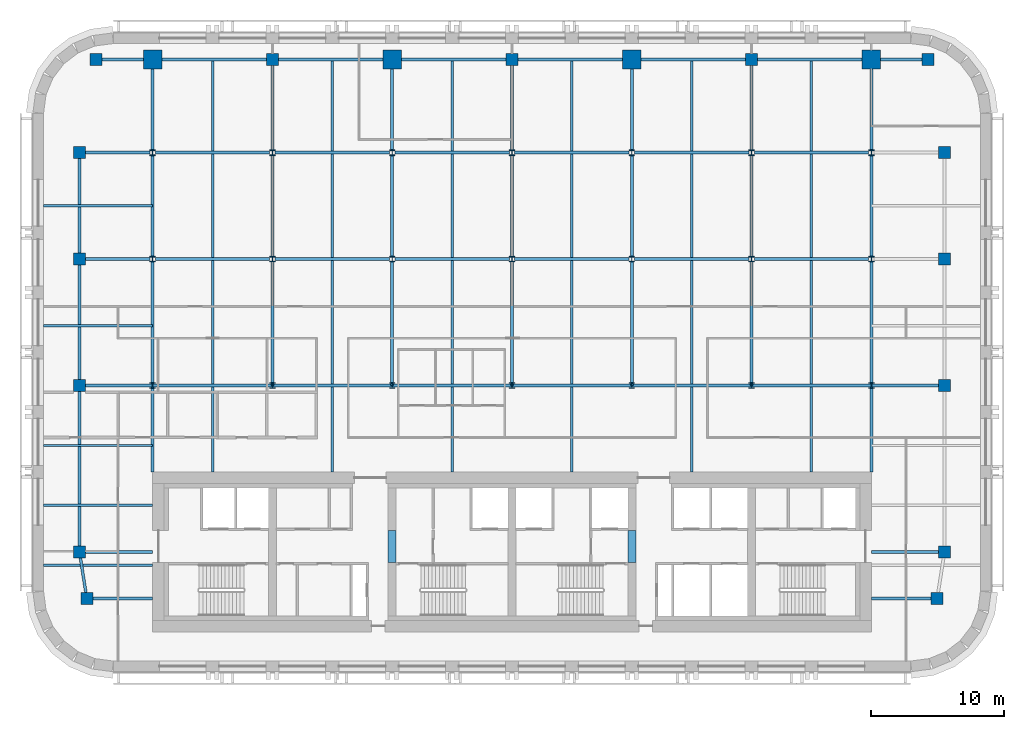
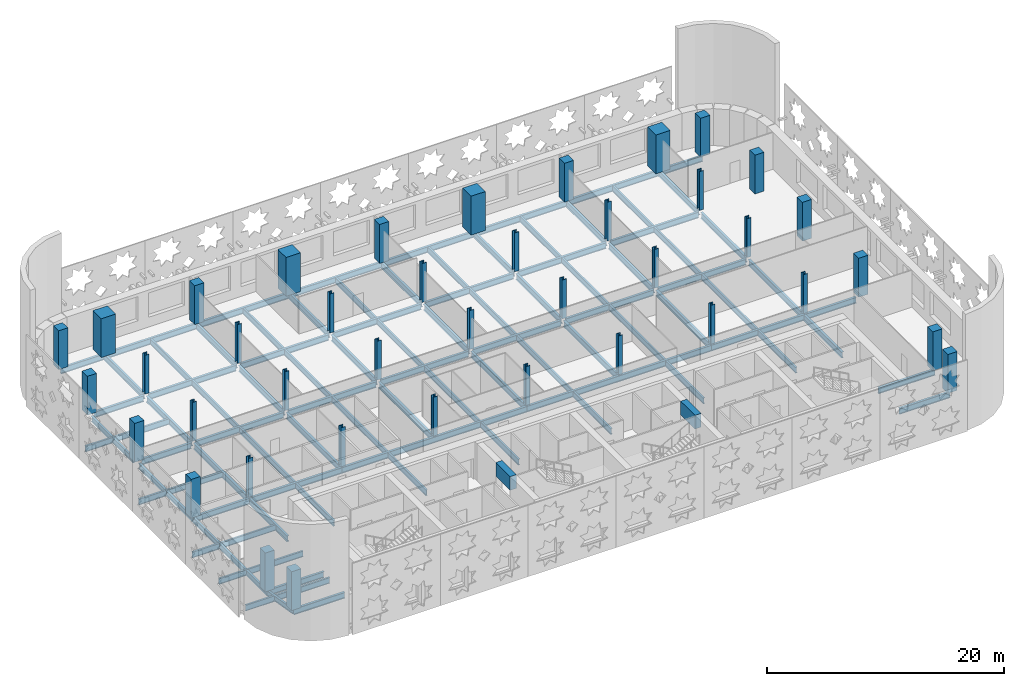
# One storey, part 1 of 14: 64 beams, 40 columns.
"""IFC4 building model written with IfcOpenShell, lengths in metres."""

from ifc_helpers import new_model, si_unit, direction, frame, origin, origin_2d, place, context, subcontext, project, spatial, rectangle, i_section, extrude, material, material_profile, profile_set, type_object, element, save


model = new_model("IFC4")

# Units and contexts
model_context = context("Model", 3, precision=1e-05, world=origin(), true_north=direction((0.0, 1.0)))
body_context = subcontext(model_context, "Body", "Model", "MODEL_VIEW")
ifc_project = project(units=[si_unit("LENGTHUNIT", "METRE"), si_unit("AREAUNIT", "SQUARE_METRE"), si_unit("VOLUMEUNIT", "CUBIC_METRE"), si_unit("PLANEANGLEUNIT", "RADIAN"), si_unit("MASSUNIT", "GRAM", prefix="KILO")], contexts=[model_context])

# Site, building, storey
site_placement = place(None, origin())
site = spatial("IfcSite", under=ifc_project, at=site_placement, CompositionType="ELEMENT")
building_placement = place(site_placement, origin())
building = spatial("IfcBuilding", under=site, at=building_placement, Name="Zellij Exchange Tower", CompositionType="ELEMENT")
storey_placement = place(building_placement, frame((0.0, 0.0, 188.5)))
storey = spatial("IfcBuildingStorey", under=building, at=storey_placement, Name="L43", CompositionType="ELEMENT", Elevation=188.5)

# Columns
ifc_material_1 = material(Name="Concrete C60/75", Category="concrete")
ifc_material_profile_1 = material_profile(ifc_material_1, rectangle(XDim=0.89990234375, YDim=0.89990234375, at=origin_2d()), Name="STR-COLUMN RC900x900 C60/75")
ifc_profile_set_1 = profile_set([ifc_material_profile_1], Name="Concrete C60/75")
column_type_1 = type_object("IfcColumnType", Name="STR-COLUMN RC900x900 C60/75", PredefinedType="COLUMN", material=ifc_profile_set_1)
for number, where, z_axis, x_axis, name in (
    (1, (-31.949951171875, -11.5, 0.0), (0.0, 0.0, 1.0), (1.0, 0.0, 0.0), "C16"),
    (2, (31.949951171875, -11.5, 0.0), (0.0, 0.0, 1.0), (1.0, 0.0, 0.0), "C16"),
    (3, (-32.5, -8.0, 0.0), (0.0, 0.0, 1.0), (1.0, 0.0, 0.0), "C16"),
    (4, (32.5, -8.0, 0.0), (0.0, 0.0, 1.0), (1.0, 0.0, 0.0), "C16"),
    (5, (-32.5, 4.5, 0.0), (0.0, 0.0, 1.0), (1.0, 0.0, 0.0), "C16"),
    (6, (32.5, 4.5, 0.0), (0.0, 0.0, 1.0), (1.0, 0.0, 0.0), "C16"),
    (7, (-32.5, 14.0, 0.0), (0.0, 0.0, 1.0), (1.0, 0.0, 0.0), "C16"),
    (8, (32.5, 14.0, 0.0), (0.0, 0.0, 1.0), (1.0, 0.0, 0.0), "C16"),
    (9, (-32.5, 22.0, 0.0), (0.0, 0.0, 1.0), (1.0, 0.0, 0.0), "C16"),
    (10, (32.5, 22.0, 0.0), (0.0, 0.0, 1.0), (1.0, 0.0, 0.0), "C16"),
    (11, (-31.25, 29.0, 0.0), (0.0, 0.0, 1.0), (1.0, 0.0, 0.0), "C16"),
    (12, (-18.0, 29.0, 0.0), (0.0, 0.0, 1.0), (1.0, 0.0, 0.0), "C16"),
    (13, (0.0, 29.0, 0.0), (0.0, 0.0, 1.0), (1.0, 0.0, 0.0), "C16"),
    (14, (18.0, 29.0, 0.0), (0.0, 0.0, 1.0), (1.0, 0.0, 0.0), "C16"),
    (15, (31.25, 29.0, 0.0), (0.0, 0.0, 1.0), (1.0, 0.0, 0.0), "C16"),
):
    element("IfcColumn", number, at=place(storey_placement, frame(where, z_axis=z_axis, x_axis=x_axis)), inside=storey, type_object=column_type_1, Name=name, PredefinedType="COLUMN", context=body_context, shape_type="SweptSolid", body=[
        extrude(rectangle(XDim=0.89990234375, YDim=0.89990234375, at=origin_2d()), origin(), (0.0, 0.0, 1.0), 4.0),
    ])
ifc_material_2 = material(Name="Structural steel ASTM A913 Gr 65", Category="steel")
ifc_material_profile_2 = material_profile(ifc_material_2, i_section(OverallWidth=0.408935546875, OverallDepth=0.424072265625, WebThickness=0.03271484375, FlangeThickness=0.052490234375, at=origin_2d()), Name="W14x283")
ifc_profile_set_2 = profile_set([ifc_material_profile_2], Name="Structural steel ASTM A913 Gr 65")
column_type_2 = type_object("IfcColumnType", Name="STR-COLUMN W14x283", PredefinedType="COLUMN", material=ifc_profile_set_2)
for number, where, z_axis, x_axis, name in (
    (16, (-27.0, 4.5, 0.0), (0.0, 0.0, 1.0), (1.0, 0.0, 0.0), "C3"),
    (17, (-18.0, 4.5, 0.0), (0.0, 0.0, 1.0), (1.0, 0.0, 0.0), "C3"),
    (18, (-9.0, 4.5, 0.0), (0.0, 0.0, 1.0), (1.0, 0.0, 0.0), "C3"),
    (19, (0.0, 4.5, 0.0), (0.0, 0.0, 1.0), (1.0, 0.0, 0.0), "C3"),
    (20, (9.0, 4.5, 0.0), (0.0, 0.0, 1.0), (1.0, 0.0, 0.0), "C3"),
    (21, (18.0, 4.5, 0.0), (0.0, 0.0, 1.0), (1.0, 0.0, 0.0), "C3"),
    (22, (27.0, 4.5, 0.0), (0.0, 0.0, 1.0), (1.0, 0.0, 0.0), "C3"),
    (23, (-27.0, 14.0, 0.0), (0.0, 0.0, 1.0), (1.0, 0.0, 0.0), "C3"),
    (24, (-18.0, 14.0, 0.0), (0.0, 0.0, 1.0), (1.0, 0.0, 0.0), "C3"),
    (25, (-9.0, 14.0, 0.0), (0.0, 0.0, 1.0), (1.0, 0.0, 0.0), "C3"),
    (26, (0.0, 14.0, 0.0), (0.0, 0.0, 1.0), (1.0, 0.0, 0.0), "C3"),
    (27, (9.0, 14.0, 0.0), (0.0, 0.0, 1.0), (1.0, 0.0, 0.0), "C3"),
    (28, (18.0, 14.0, 0.0), (0.0, 0.0, 1.0), (1.0, 0.0, 0.0), "C3"),
    (29, (27.0, 14.0, 0.0), (0.0, 0.0, 1.0), (1.0, 0.0, 0.0), "C3"),
    (30, (-27.0, 22.0, 0.0), (0.0, 0.0, 1.0), (1.0, 0.0, 0.0), "C3"),
    (31, (-18.0, 22.0, 0.0), (0.0, 0.0, 1.0), (1.0, 0.0, 0.0), "C3"),
    (32, (-9.0, 22.0, 0.0), (0.0, 0.0, 1.0), (1.0, 0.0, 0.0), "C3"),
    (33, (0.0, 22.0, 0.0), (0.0, 0.0, 1.0), (1.0, 0.0, 0.0), "C3"),
    (34, (9.0, 22.0, 0.0), (0.0, 0.0, 1.0), (1.0, 0.0, 0.0), "C3"),
    (35, (18.0, 22.0, 0.0), (0.0, 0.0, 1.0), (1.0, 0.0, 0.0), "C3"),
    (36, (27.0, 22.0, 0.0), (0.0, 0.0, 1.0), (1.0, 0.0, 0.0), "C3"),
):
    element("IfcColumn", number, at=place(storey_placement, frame(where, z_axis=z_axis, x_axis=x_axis)), inside=storey, type_object=column_type_2, Name=name, PredefinedType="COLUMN", context=body_context, shape_type="SweptSolid", body=[
        extrude(i_section(OverallWidth=0.408935546875, OverallDepth=0.424072265625, WebThickness=0.03271484375, FlangeThickness=0.052490234375, at=origin_2d()), origin(), (0.0, 0.0, 1.0), 4.0),
    ])
ifc_material_profile_3 = material_profile(ifc_material_1, rectangle(XDim=1.39990234375, YDim=1.39990234375, at=origin_2d()), Name="STR-MEGA COLUMN RC1400x1400 C60/75")
ifc_profile_set_3 = profile_set([ifc_material_profile_3], Name="Concrete C60/75")
column_type_3 = type_object("IfcColumnType", Name="STR-MEGA COLUMN RC1400x1400 C60/75", PredefinedType="COLUMN", material=ifc_profile_set_3)
for number, where, z_axis, x_axis, name in (
    (37, (-27.0, 29.0, 0.0), (0.0, 0.0, 1.0), (1.0, 0.0, 0.0), "MC3"),
    (38, (-9.0, 29.0, 0.0), (0.0, 0.0, 1.0), (1.0, 0.0, 0.0), "MC3"),
    (39, (9.0, 29.0, 0.0), (0.0, 0.0, 1.0), (1.0, 0.0, 0.0), "MC3"),
    (40, (27.0, 29.0, 0.0), (0.0, 0.0, 1.0), (1.0, 0.0, 0.0), "MC3"),
):
    element("IfcColumn", number, at=place(storey_placement, frame(where, z_axis=z_axis, x_axis=x_axis)), inside=storey, type_object=column_type_3, Name=name, PredefinedType="COLUMN", context=body_context, shape_type="SweptSolid", body=[
        extrude(rectangle(XDim=1.39990234375, YDim=1.39990234375, at=origin_2d()), origin(), (0.0, 0.0, 1.0), 4.0),
    ])

# Beams
ifc_material_profile_4 = material_profile(ifc_material_1, rectangle(XDim=0.60009765625, YDim=1.39990234375, at=origin_2d()), Name="CORE-CB 600x1400 C60/75")
ifc_profile_set_4 = profile_set([ifc_material_profile_4], Name="Concrete C60/75")
beam_type_1 = type_object("IfcBeamType", Name="CORE-CB 600x1400 C60/75", PredefinedType="BEAM", material=ifc_profile_set_4)
for number, where, z_axis, x_axis, name in (
    (41, (-9.0, -8.800048828125, 3.10009765625), (0.0, 1.0, 0.0), (-1.0, 0.0, 0.0), "Core coupling beam x -9 L43"),
    (42, (9.0, -8.800048828125, 3.10009765625), (0.0, 1.0, 0.0), (-1.0, 0.0, 0.0), "Core coupling beam x 9 L43"),
):
    element("IfcBeam", number, at=place(storey_placement, frame(where, z_axis=z_axis, x_axis=x_axis)), inside=storey, type_object=beam_type_1, Name=name, PredefinedType="BEAM", context=body_context, shape_type="SweptSolid", body=[
        extrude(rectangle(XDim=0.60009765625, YDim=1.39990234375, at=origin_2d()), origin(), (0.0, 0.0, 1.0), 2.425048828125),
    ])
ifc_material_3 = material(Name="Structural steel ASTM A992 Gr 50", Category="steel")
ifc_material_profile_5 = material_profile(ifc_material_3, i_section(OverallWidth=0.177978515625, OverallDepth=0.599365234375, WebThickness=0.010009765625, FlangeThickness=0.012939453125, at=origin_2d()), Name="W24x55")
ifc_profile_set_5 = profile_set([ifc_material_profile_5], Name="Structural steel ASTM A992 Gr 50")
beam_type_2 = type_object("IfcBeamType", Name="STR-BEAM W24x55", PredefinedType="BEAM", material=ifc_profile_set_5)
for number, where, z_axis, x_axis, name in (
    (43, (-22.5, -2.0, -0.499755859375), (0.0, 1.0, 0.0), (-1.0, 0.0, 0.0), "B4"),
    (44, (-13.5, -2.0, -0.499755859375), (0.0, 1.0, 0.0), (-1.0, 0.0, 0.0), "B4"),
    (45, (-4.5, -2.0, -0.499755859375), (0.0, 1.0, 0.0), (-1.0, 0.0, 0.0), "B4"),
    (46, (4.5, -2.0, -0.499755859375), (0.0, 1.0, 0.0), (-1.0, 0.0, 0.0), "B4"),
    (47, (13.5, -2.0, -0.499755859375), (0.0, 1.0, 0.0), (-1.0, 0.0, 0.0), "B4"),
    (48, (22.5, -2.0, -0.499755859375), (0.0, 1.0, 0.0), (-1.0, 0.0, 0.0), "B4"),
):
    element("IfcBeam", number, at=place(storey_placement, frame(where, z_axis=z_axis, x_axis=x_axis)), inside=storey, type_object=beam_type_2, Name=name, PredefinedType="BEAM", context=body_context, shape_type="SweptSolid", body=[
        extrude(i_section(OverallWidth=0.177978515625, OverallDepth=0.599365234375, WebThickness=0.010009765625, FlangeThickness=0.012939453125, at=origin_2d()), origin(), (0.0, 0.0, 1.0), 31.1142578125),
    ])
for number, where, z_axis, x_axis, name in (
    (49, (-35.199951171875, -9.0, -0.499755859375), (1.0, 0.0, 0.0), (0.0, 1.0, 0.0), "B4"),
    (50, (-35.199951171875, -4.5, -0.499755859375), (1.0, 0.0, 0.0), (0.0, 1.0, 0.0), "B4"),
    (51, (-35.199951171875, 0.0, -0.499755859375), (1.0, 0.0, 0.0), (0.0, 1.0, 0.0), "B4"),
    (52, (-35.199951171875, 9.0, -0.499755859375), (1.0, 0.0, 0.0), (0.0, 1.0, 0.0), "B4"),
    (53, (-35.199951171875, 18.0, -0.499755859375), (1.0, 0.0, 0.0), (0.0, 1.0, 0.0), "B4"),
):
    element("IfcBeam", number, at=place(storey_placement, frame(where, z_axis=z_axis, x_axis=x_axis)), inside=storey, type_object=beam_type_2, Name=name, PredefinedType="BEAM", context=body_context, shape_type="SweptSolid", body=[
        extrude(i_section(OverallWidth=0.177978515625, OverallDepth=0.599365234375, WebThickness=0.010009765625, FlangeThickness=0.012939453125, at=origin_2d()), origin(), (0.0, 0.0, 1.0), 8.199951171875),
    ])
ifc_material_profile_6 = material_profile(ifc_material_3, i_section(OverallWidth=0.209228515625, OverallDepth=0.533447265625, WebThickness=0.01025390625, FlangeThickness=0.015625, at=origin_2d()), Name="W21x62")
ifc_profile_set_6 = profile_set([ifc_material_profile_6], Name="Structural steel ASTM A992 Gr 50")
beam_type_3 = type_object("IfcBeamType", Name="STR-EDGE GIRDER W21x62", PredefinedType="BEAM", material=ifc_profile_set_6)
beam_1_placement = place(storey_placement, frame((-31.949951171875, -11.5, -0.466796875), z_axis=(-0.155251283593, 0.987875011802, 0.0), x_axis=(-0.987875011802, -0.155251283593, 0.0)))
element("IfcBeam", 54, at=beam_1_placement, inside=storey, type_object=beam_type_3, Name="EB3", PredefinedType="BEAM", context=body_context, shape_type="SweptSolid", body=[
    extrude(i_section(OverallWidth=0.209228515625, OverallDepth=0.533447265625, WebThickness=0.01025390625, FlangeThickness=0.015625, at=origin_2d()), origin(), (0.0, 0.0, 1.0), 3.54296875),
])
beam_2_placement = place(storey_placement, frame((-32.5, -8.0, -0.466796875), z_axis=(0.0, 1.0, 0.0), x_axis=(-1.0, 0.0, 0.0)))
element("IfcBeam", 55, at=beam_2_placement, inside=storey, type_object=beam_type_3, Name="EB3", PredefinedType="BEAM", context=body_context, shape_type="SweptSolid", body=[
    extrude(i_section(OverallWidth=0.209228515625, OverallDepth=0.533447265625, WebThickness=0.01025390625, FlangeThickness=0.015625, at=origin_2d()), origin(), (0.0, 0.0, 1.0), 12.5),
])
beam_3_placement = place(storey_placement, frame((-32.5, 4.5, -0.466796875), z_axis=(0.0, 1.0, 0.0), x_axis=(-1.0, 0.0, 0.0)))
element("IfcBeam", 56, at=beam_3_placement, inside=storey, type_object=beam_type_3, Name="EB3", PredefinedType="BEAM", context=body_context, shape_type="SweptSolid", body=[
    extrude(i_section(OverallWidth=0.209228515625, OverallDepth=0.533447265625, WebThickness=0.01025390625, FlangeThickness=0.015625, at=origin_2d()), origin(), (0.0, 0.0, 1.0), 9.050048828125),
])
beam_4_placement = place(storey_placement, frame((-32.5, 14.449951171875, -0.466796875), z_axis=(0.0, 1.0, 0.0), x_axis=(-1.0, 0.0, 0.0)))
element("IfcBeam", 57, at=beam_4_placement, inside=storey, type_object=beam_type_3, Name="EB3", PredefinedType="BEAM", context=body_context, shape_type="SweptSolid", body=[
    extrude(i_section(OverallWidth=0.209228515625, OverallDepth=0.533447265625, WebThickness=0.01025390625, FlangeThickness=0.015625, at=origin_2d()), origin(), (0.0, 0.0, 1.0), 7.10009765625),
])
ifc_material_profile_7 = material_profile(ifc_material_3, i_section(OverallWidth=0.228271484375, OverallDepth=0.607177734375, WebThickness=0.01123046875, FlangeThickness=0.017333984375, at=origin_2d()), Name="W24x76")
ifc_profile_set_7 = profile_set([ifc_material_profile_7], Name="Structural steel ASTM A992 Gr 50")
beam_type_4 = type_object("IfcBeamType", Name="STR-GIRDER W24x76", PredefinedType="BEAM", material=ifc_profile_set_7)
for number, where, z_axis, x_axis, name in (
    (58, (-31.949951171875, -11.5, -0.50341796875), (1.0, 0.0, 0.0), (0.0, 1.0, 0.0), "G2"),
    (59, (27.0, -11.5, -0.50341796875), (1.0, 0.0, 0.0), (0.0, 1.0, 0.0), "G2"),
):
    element("IfcBeam", number, at=place(storey_placement, frame(where, z_axis=z_axis, x_axis=x_axis)), inside=storey, type_object=beam_type_4, Name=name, PredefinedType="BEAM", context=body_context, shape_type="SweptSolid", body=[
        extrude(i_section(OverallWidth=0.228271484375, OverallDepth=0.607177734375, WebThickness=0.01123046875, FlangeThickness=0.017333984375, at=origin_2d()), origin(), (0.0, 0.0, 1.0), 4.949951171875),
    ])
for number, where, z_axis, x_axis, name in (
    (60, (-32.5, -8.0, -0.50341796875), (1.0, 0.0, 0.0), (0.0, 1.0, 0.0), "G2"),
    (61, (27.0, -8.0, -0.50341796875), (1.0, 0.0, 0.0), (0.0, 1.0, 0.0), "G2"),
):
    element("IfcBeam", number, at=place(storey_placement, frame(where, z_axis=z_axis, x_axis=x_axis)), inside=storey, type_object=beam_type_4, Name=name, PredefinedType="BEAM", context=body_context, shape_type="SweptSolid", body=[
        extrude(i_section(OverallWidth=0.228271484375, OverallDepth=0.607177734375, WebThickness=0.01123046875, FlangeThickness=0.017333984375, at=origin_2d()), origin(), (0.0, 0.0, 1.0), 5.5),
    ])
beam_5_placement = place(storey_placement, frame((-32.5, 4.5, -0.50341796875), z_axis=(1.0, 0.0, 0.0), x_axis=(0.0, 1.0, 0.0)))
element("IfcBeam", 62, at=beam_5_placement, inside=storey, type_object=beam_type_4, Name="G2", PredefinedType="BEAM", context=body_context, shape_type="SweptSolid", body=[
    extrude(i_section(OverallWidth=0.228271484375, OverallDepth=0.607177734375, WebThickness=0.01123046875, FlangeThickness=0.017333984375, at=origin_2d()), origin(), (0.0, 0.0, 1.0), 14.5),
])
for number, where, z_axis, x_axis, name in (
    (63, (-18.0, 4.5, -0.50341796875), (1.0, 0.0, 0.0), (0.0, 1.0, 0.0), "G2"),
    (64, (0.0, 4.5, -0.50341796875), (1.0, 0.0, 0.0), (0.0, 1.0, 0.0), "G2"),
):
    element("IfcBeam", number, at=place(storey_placement, frame(where, z_axis=z_axis, x_axis=x_axis)), inside=storey, type_object=beam_type_4, Name=name, PredefinedType="BEAM", context=body_context, shape_type="SweptSolid", body=[
        extrude(i_section(OverallWidth=0.228271484375, OverallDepth=0.607177734375, WebThickness=0.01123046875, FlangeThickness=0.017333984375, at=origin_2d()), origin(), (0.0, 0.0, 1.0), 18.0),
    ])
beam_6_placement = place(storey_placement, frame((18.0, 4.5, -0.50341796875), z_axis=(1.0, 0.0, 0.0), x_axis=(0.0, 1.0, 0.0)))
element("IfcBeam", 65, at=beam_6_placement, inside=storey, type_object=beam_type_4, Name="G2", PredefinedType="BEAM", context=body_context, shape_type="SweptSolid", body=[
    extrude(i_section(OverallWidth=0.228271484375, OverallDepth=0.607177734375, WebThickness=0.01123046875, FlangeThickness=0.017333984375, at=origin_2d()), origin(), (0.0, 0.0, 1.0), 14.050048828125),
])
beam_7_placement = place(storey_placement, frame((-32.050048828125, 14.0, -0.50341796875), z_axis=(1.0, 0.0, 0.0), x_axis=(0.0, 1.0, 0.0)))
element("IfcBeam", 66, at=beam_7_placement, inside=storey, type_object=beam_type_4, Name="G2", PredefinedType="BEAM", context=body_context, shape_type="SweptSolid", body=[
    extrude(i_section(OverallWidth=0.228271484375, OverallDepth=0.607177734375, WebThickness=0.01123046875, FlangeThickness=0.017333984375, at=origin_2d()), origin(), (0.0, 0.0, 1.0), 4.845458984375),
])
for number, where, z_axis, x_axis, name in (
    (67, (-26.79541015625, 14.0, -0.50341796875), (1.0, 0.0, 0.0), (0.0, 1.0, 0.0), "G2"),
    (68, (-17.79541015625, 14.0, -0.50341796875), (1.0, 0.0, 0.0), (0.0, 1.0, 0.0), "G2"),
    (69, (-8.79541015625, 14.0, -0.50341796875), (1.0, 0.0, 0.0), (0.0, 1.0, 0.0), "G2"),
    (70, (0.20458984375, 14.0, -0.50341796875), (1.0, 0.0, 0.0), (0.0, 1.0, 0.0), "G2"),
    (71, (9.20458984375, 14.0, -0.50341796875), (1.0, 0.0, 0.0), (0.0, 1.0, 0.0), "G2"),
    (72, (18.20458984375, 14.0, -0.50341796875), (1.0, 0.0, 0.0), (0.0, 1.0, 0.0), "G2"),
):
    element("IfcBeam", number, at=place(storey_placement, frame(where, z_axis=z_axis, x_axis=x_axis)), inside=storey, type_object=beam_type_4, Name=name, PredefinedType="BEAM", context=body_context, shape_type="SweptSolid", body=[
        extrude(i_section(OverallWidth=0.228271484375, OverallDepth=0.607177734375, WebThickness=0.01123046875, FlangeThickness=0.017333984375, at=origin_2d()), origin(), (0.0, 0.0, 1.0), 8.5908203125),
    ])
beam_8_placement = place(storey_placement, frame((-32.050048828125, 22.0, -0.50341796875), z_axis=(1.0, 0.0, 0.0), x_axis=(0.0, 1.0, 0.0)))
element("IfcBeam", 73, at=beam_8_placement, inside=storey, type_object=beam_type_4, Name="G2", PredefinedType="BEAM", context=body_context, shape_type="SweptSolid", body=[
    extrude(i_section(OverallWidth=0.228271484375, OverallDepth=0.607177734375, WebThickness=0.01123046875, FlangeThickness=0.017333984375, at=origin_2d()), origin(), (0.0, 0.0, 1.0), 4.845458984375),
])
for number, where, z_axis, x_axis, name in (
    (74, (-26.79541015625, 22.0, -0.50341796875), (1.0, 0.0, 0.0), (0.0, 1.0, 0.0), "G2"),
    (75, (-17.79541015625, 22.0, -0.50341796875), (1.0, 0.0, 0.0), (0.0, 1.0, 0.0), "G2"),
    (76, (-8.79541015625, 22.0, -0.50341796875), (1.0, 0.0, 0.0), (0.0, 1.0, 0.0), "G2"),
    (77, (0.20458984375, 22.0, -0.50341796875), (1.0, 0.0, 0.0), (0.0, 1.0, 0.0), "G2"),
    (78, (9.20458984375, 22.0, -0.50341796875), (1.0, 0.0, 0.0), (0.0, 1.0, 0.0), "G2"),
    (79, (18.20458984375, 22.0, -0.50341796875), (1.0, 0.0, 0.0), (0.0, 1.0, 0.0), "G2"),
):
    element("IfcBeam", number, at=place(storey_placement, frame(where, z_axis=z_axis, x_axis=x_axis)), inside=storey, type_object=beam_type_4, Name=name, PredefinedType="BEAM", context=body_context, shape_type="SweptSolid", body=[
        extrude(i_section(OverallWidth=0.228271484375, OverallDepth=0.607177734375, WebThickness=0.01123046875, FlangeThickness=0.017333984375, at=origin_2d()), origin(), (0.0, 0.0, 1.0), 8.5908203125),
    ])
beam_9_placement = place(storey_placement, frame((-31.25, 29.0, -0.50341796875), z_axis=(1.0, 0.0, 0.0), x_axis=(0.0, 1.0, 0.0)))
element("IfcBeam", 80, at=beam_9_placement, inside=storey, type_object=beam_type_4, Name="G2", PredefinedType="BEAM", context=body_context, shape_type="SweptSolid", body=[
    extrude(i_section(OverallWidth=0.228271484375, OverallDepth=0.607177734375, WebThickness=0.01123046875, FlangeThickness=0.017333984375, at=origin_2d()), origin(), (0.0, 0.0, 1.0), 13.25),
])
for number, where, z_axis, x_axis, name in (
    (81, (-18.0, 29.0, -0.50341796875), (1.0, 0.0, 0.0), (0.0, 1.0, 0.0), "G2"),
    (82, (0.0, 29.0, -0.50341796875), (1.0, 0.0, 0.0), (0.0, 1.0, 0.0), "G2"),
):
    element("IfcBeam", number, at=place(storey_placement, frame(where, z_axis=z_axis, x_axis=x_axis)), inside=storey, type_object=beam_type_4, Name=name, PredefinedType="BEAM", context=body_context, shape_type="SweptSolid", body=[
        extrude(i_section(OverallWidth=0.228271484375, OverallDepth=0.607177734375, WebThickness=0.01123046875, FlangeThickness=0.017333984375, at=origin_2d()), origin(), (0.0, 0.0, 1.0), 18.0),
    ])
beam_10_placement = place(storey_placement, frame((18.0, 29.0, -0.50341796875), z_axis=(1.0, 0.0, 0.0), x_axis=(0.0, 1.0, 0.0)))
element("IfcBeam", 83, at=beam_10_placement, inside=storey, type_object=beam_type_4, Name="G2", PredefinedType="BEAM", context=body_context, shape_type="SweptSolid", body=[
    extrude(i_section(OverallWidth=0.228271484375, OverallDepth=0.607177734375, WebThickness=0.01123046875, FlangeThickness=0.017333984375, at=origin_2d()), origin(), (0.0, 0.0, 1.0), 13.25),
])
beam_11_placement = place(storey_placement, frame((-27.0, -2.0, -0.50341796875), z_axis=(0.0, 1.0, 0.0), x_axis=(-1.0, 0.0, 0.0)))
element("IfcBeam", 84, at=beam_11_placement, inside=storey, type_object=beam_type_4, Name="G2", PredefinedType="BEAM", context=body_context, shape_type="SweptSolid", body=[
    extrude(i_section(OverallWidth=0.228271484375, OverallDepth=0.607177734375, WebThickness=0.01123046875, FlangeThickness=0.017333984375, at=origin_2d()), origin(), (0.0, 0.0, 1.0), 15.787841796875),
])
beam_12_placement = place(storey_placement, frame((-27.0, 14.212158203125, -0.50341796875), z_axis=(0.0, 1.0, 0.0), x_axis=(-1.0, 0.0, 0.0)))
element("IfcBeam", 85, at=beam_12_placement, inside=storey, type_object=beam_type_4, Name="G2", PredefinedType="BEAM", context=body_context, shape_type="SweptSolid", body=[
    extrude(i_section(OverallWidth=0.228271484375, OverallDepth=0.607177734375, WebThickness=0.01123046875, FlangeThickness=0.017333984375, at=origin_2d()), origin(), (0.0, 0.0, 1.0), 7.57568359375),
])
beam_13_placement = place(storey_placement, frame((-27.0, 22.212158203125, -0.50341796875), z_axis=(0.0, 1.0, 0.0), x_axis=(-1.0, 0.0, 0.0)))
element("IfcBeam", 86, at=beam_13_placement, inside=storey, type_object=beam_type_4, Name="G2", PredefinedType="BEAM", context=body_context, shape_type="SweptSolid", body=[
    extrude(i_section(OverallWidth=0.228271484375, OverallDepth=0.607177734375, WebThickness=0.01123046875, FlangeThickness=0.017333984375, at=origin_2d()), origin(), (0.0, 0.0, 1.0), 6.787841796875),
])
beam_14_placement = place(storey_placement, frame((-18.0, 4.5, -0.50341796875), z_axis=(0.0, 1.0, 0.0), x_axis=(-1.0, 0.0, 0.0)))
element("IfcBeam", 87, at=beam_14_placement, inside=storey, type_object=beam_type_4, Name="G2", PredefinedType="BEAM", context=body_context, shape_type="SweptSolid", body=[
    extrude(i_section(OverallWidth=0.228271484375, OverallDepth=0.607177734375, WebThickness=0.01123046875, FlangeThickness=0.017333984375, at=origin_2d()), origin(), (0.0, 0.0, 1.0), 9.287841796875),
])
beam_15_placement = place(storey_placement, frame((-18.0, 14.212158203125, -0.50341796875), z_axis=(0.0, 1.0, 0.0), x_axis=(-1.0, 0.0, 0.0)))
element("IfcBeam", 88, at=beam_15_placement, inside=storey, type_object=beam_type_4, Name="G2", PredefinedType="BEAM", context=body_context, shape_type="SweptSolid", body=[
    extrude(i_section(OverallWidth=0.228271484375, OverallDepth=0.607177734375, WebThickness=0.01123046875, FlangeThickness=0.017333984375, at=origin_2d()), origin(), (0.0, 0.0, 1.0), 7.57568359375),
])
beam_16_placement = place(storey_placement, frame((-18.0, 22.212158203125, -0.50341796875), z_axis=(0.0, 1.0, 0.0), x_axis=(-1.0, 0.0, 0.0)))
element("IfcBeam", 89, at=beam_16_placement, inside=storey, type_object=beam_type_4, Name="G2", PredefinedType="BEAM", context=body_context, shape_type="SweptSolid", body=[
    extrude(i_section(OverallWidth=0.228271484375, OverallDepth=0.607177734375, WebThickness=0.01123046875, FlangeThickness=0.017333984375, at=origin_2d()), origin(), (0.0, 0.0, 1.0), 6.787841796875),
])
beam_17_placement = place(storey_placement, frame((-9.0, 4.5, -0.50341796875), z_axis=(0.0, 1.0, 0.0), x_axis=(-1.0, 0.0, 0.0)))
element("IfcBeam", 90, at=beam_17_placement, inside=storey, type_object=beam_type_4, Name="G2", PredefinedType="BEAM", context=body_context, shape_type="SweptSolid", body=[
    extrude(i_section(OverallWidth=0.228271484375, OverallDepth=0.607177734375, WebThickness=0.01123046875, FlangeThickness=0.017333984375, at=origin_2d()), origin(), (0.0, 0.0, 1.0), 9.287841796875),
])
beam_18_placement = place(storey_placement, frame((-9.0, 14.212158203125, -0.50341796875), z_axis=(0.0, 1.0, 0.0), x_axis=(-1.0, 0.0, 0.0)))
element("IfcBeam", 91, at=beam_18_placement, inside=storey, type_object=beam_type_4, Name="G2", PredefinedType="BEAM", context=body_context, shape_type="SweptSolid", body=[
    extrude(i_section(OverallWidth=0.228271484375, OverallDepth=0.607177734375, WebThickness=0.01123046875, FlangeThickness=0.017333984375, at=origin_2d()), origin(), (0.0, 0.0, 1.0), 7.57568359375),
])
beam_19_placement = place(storey_placement, frame((-9.0, 22.212158203125, -0.50341796875), z_axis=(0.0, 1.0, 0.0), x_axis=(-1.0, 0.0, 0.0)))
element("IfcBeam", 92, at=beam_19_placement, inside=storey, type_object=beam_type_4, Name="G2", PredefinedType="BEAM", context=body_context, shape_type="SweptSolid", body=[
    extrude(i_section(OverallWidth=0.228271484375, OverallDepth=0.607177734375, WebThickness=0.01123046875, FlangeThickness=0.017333984375, at=origin_2d()), origin(), (0.0, 0.0, 1.0), 6.787841796875),
])
beam_20_placement = place(storey_placement, frame((0.0, 4.5, -0.50341796875), z_axis=(0.0, 1.0, 0.0), x_axis=(-1.0, 0.0, 0.0)))
element("IfcBeam", 93, at=beam_20_placement, inside=storey, type_object=beam_type_4, Name="G2", PredefinedType="BEAM", context=body_context, shape_type="SweptSolid", body=[
    extrude(i_section(OverallWidth=0.228271484375, OverallDepth=0.607177734375, WebThickness=0.01123046875, FlangeThickness=0.017333984375, at=origin_2d()), origin(), (0.0, 0.0, 1.0), 9.287841796875),
])
beam_21_placement = place(storey_placement, frame((0.0, 14.212158203125, -0.50341796875), z_axis=(0.0, 1.0, 0.0), x_axis=(-1.0, 0.0, 0.0)))
element("IfcBeam", 94, at=beam_21_placement, inside=storey, type_object=beam_type_4, Name="G2", PredefinedType="BEAM", context=body_context, shape_type="SweptSolid", body=[
    extrude(i_section(OverallWidth=0.228271484375, OverallDepth=0.607177734375, WebThickness=0.01123046875, FlangeThickness=0.017333984375, at=origin_2d()), origin(), (0.0, 0.0, 1.0), 7.57568359375),
])
beam_22_placement = place(storey_placement, frame((0.0, 22.212158203125, -0.50341796875), z_axis=(0.0, 1.0, 0.0), x_axis=(-1.0, 0.0, 0.0)))
element("IfcBeam", 95, at=beam_22_placement, inside=storey, type_object=beam_type_4, Name="G2", PredefinedType="BEAM", context=body_context, shape_type="SweptSolid", body=[
    extrude(i_section(OverallWidth=0.228271484375, OverallDepth=0.607177734375, WebThickness=0.01123046875, FlangeThickness=0.017333984375, at=origin_2d()), origin(), (0.0, 0.0, 1.0), 6.787841796875),
])
beam_23_placement = place(storey_placement, frame((9.0, 4.5, -0.50341796875), z_axis=(0.0, 1.0, 0.0), x_axis=(-1.0, 0.0, 0.0)))
element("IfcBeam", 96, at=beam_23_placement, inside=storey, type_object=beam_type_4, Name="G2", PredefinedType="BEAM", context=body_context, shape_type="SweptSolid", body=[
    extrude(i_section(OverallWidth=0.228271484375, OverallDepth=0.607177734375, WebThickness=0.01123046875, FlangeThickness=0.017333984375, at=origin_2d()), origin(), (0.0, 0.0, 1.0), 9.287841796875),
])
beam_24_placement = place(storey_placement, frame((9.0, 14.212158203125, -0.50341796875), z_axis=(0.0, 1.0, 0.0), x_axis=(-1.0, 0.0, 0.0)))
element("IfcBeam", 97, at=beam_24_placement, inside=storey, type_object=beam_type_4, Name="G2", PredefinedType="BEAM", context=body_context, shape_type="SweptSolid", body=[
    extrude(i_section(OverallWidth=0.228271484375, OverallDepth=0.607177734375, WebThickness=0.01123046875, FlangeThickness=0.017333984375, at=origin_2d()), origin(), (0.0, 0.0, 1.0), 7.57568359375),
])
beam_25_placement = place(storey_placement, frame((9.0, 22.212158203125, -0.50341796875), z_axis=(0.0, 1.0, 0.0), x_axis=(-1.0, 0.0, 0.0)))
element("IfcBeam", 98, at=beam_25_placement, inside=storey, type_object=beam_type_4, Name="G2", PredefinedType="BEAM", context=body_context, shape_type="SweptSolid", body=[
    extrude(i_section(OverallWidth=0.228271484375, OverallDepth=0.607177734375, WebThickness=0.01123046875, FlangeThickness=0.017333984375, at=origin_2d()), origin(), (0.0, 0.0, 1.0), 6.787841796875),
])
beam_26_placement = place(storey_placement, frame((18.0, 4.5, -0.50341796875), z_axis=(0.0, 1.0, 0.0), x_axis=(-1.0, 0.0, 0.0)))
element("IfcBeam", 99, at=beam_26_placement, inside=storey, type_object=beam_type_4, Name="G2", PredefinedType="BEAM", context=body_context, shape_type="SweptSolid", body=[
    extrude(i_section(OverallWidth=0.228271484375, OverallDepth=0.607177734375, WebThickness=0.01123046875, FlangeThickness=0.017333984375, at=origin_2d()), origin(), (0.0, 0.0, 1.0), 9.287841796875),
])
beam_27_placement = place(storey_placement, frame((18.0, 14.212158203125, -0.50341796875), z_axis=(0.0, 1.0, 0.0), x_axis=(-1.0, 0.0, 0.0)))
element("IfcBeam", 100, at=beam_27_placement, inside=storey, type_object=beam_type_4, Name="G2", PredefinedType="BEAM", context=body_context, shape_type="SweptSolid", body=[
    extrude(i_section(OverallWidth=0.228271484375, OverallDepth=0.607177734375, WebThickness=0.01123046875, FlangeThickness=0.017333984375, at=origin_2d()), origin(), (0.0, 0.0, 1.0), 7.57568359375),
])
beam_28_placement = place(storey_placement, frame((18.0, 22.212158203125, -0.50341796875), z_axis=(0.0, 1.0, 0.0), x_axis=(-1.0, 0.0, 0.0)))
element("IfcBeam", 101, at=beam_28_placement, inside=storey, type_object=beam_type_4, Name="G2", PredefinedType="BEAM", context=body_context, shape_type="SweptSolid", body=[
    extrude(i_section(OverallWidth=0.228271484375, OverallDepth=0.607177734375, WebThickness=0.01123046875, FlangeThickness=0.017333984375, at=origin_2d()), origin(), (0.0, 0.0, 1.0), 6.787841796875),
])
beam_29_placement = place(storey_placement, frame((27.0, -2.0, -0.50341796875), z_axis=(0.0, 1.0, 0.0), x_axis=(-1.0, 0.0, 0.0)))
element("IfcBeam", 102, at=beam_29_placement, inside=storey, type_object=beam_type_4, Name="G2", PredefinedType="BEAM", context=body_context, shape_type="SweptSolid", body=[
    extrude(i_section(OverallWidth=0.228271484375, OverallDepth=0.607177734375, WebThickness=0.01123046875, FlangeThickness=0.017333984375, at=origin_2d()), origin(), (0.0, 0.0, 1.0), 15.787841796875),
])
beam_30_placement = place(storey_placement, frame((27.0, 14.212158203125, -0.50341796875), z_axis=(0.0, 1.0, 0.0), x_axis=(-1.0, 0.0, 0.0)))
element("IfcBeam", 103, at=beam_30_placement, inside=storey, type_object=beam_type_4, Name="G2", PredefinedType="BEAM", context=body_context, shape_type="SweptSolid", body=[
    extrude(i_section(OverallWidth=0.228271484375, OverallDepth=0.607177734375, WebThickness=0.01123046875, FlangeThickness=0.017333984375, at=origin_2d()), origin(), (0.0, 0.0, 1.0), 7.57568359375),
])
beam_31_placement = place(storey_placement, frame((27.0, 22.212158203125, -0.50341796875), z_axis=(0.0, 1.0, 0.0), x_axis=(-1.0, 0.0, 0.0)))
element("IfcBeam", 104, at=beam_31_placement, inside=storey, type_object=beam_type_4, Name="G2", PredefinedType="BEAM", context=body_context, shape_type="SweptSolid", body=[
    extrude(i_section(OverallWidth=0.228271484375, OverallDepth=0.607177734375, WebThickness=0.01123046875, FlangeThickness=0.017333984375, at=origin_2d()), origin(), (0.0, 0.0, 1.0), 6.787841796875),
])

save(model, "model.ifc")
